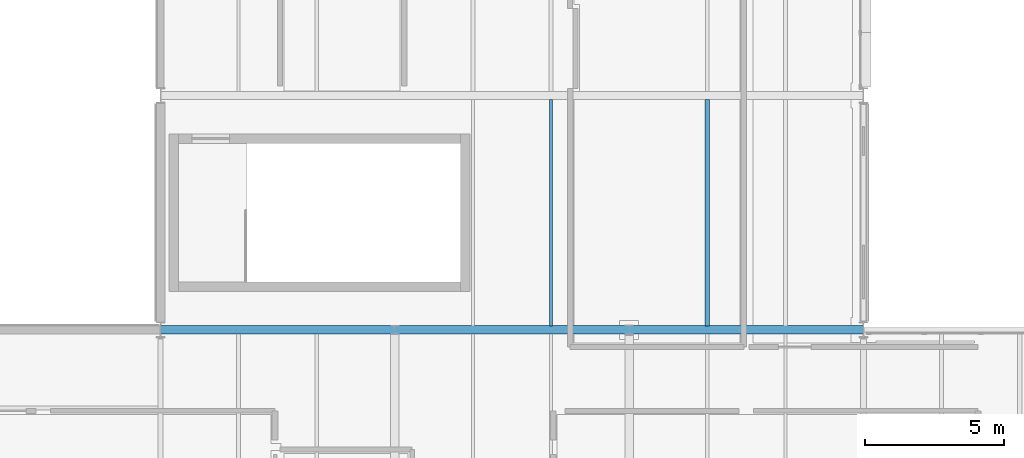
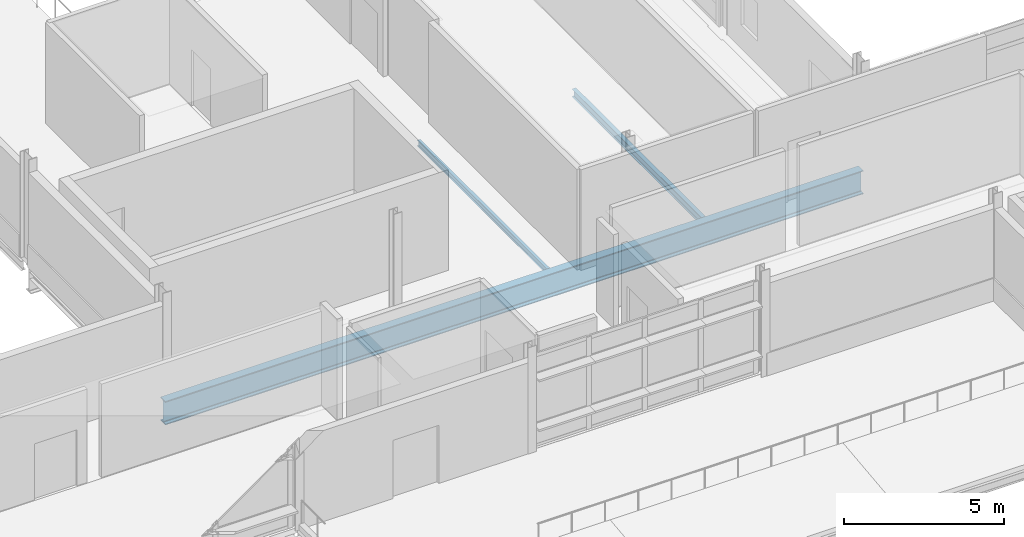
# One storey, part 27 of 151: 3 beams.
"""IFC4 building model written with IfcOpenShell, lengths in metres."""

from ifc_helpers import new_model, si_unit, direction, frame, origin, origin_2d, place, context, subcontext, project, spatial, i_section, extrude, material, material_profile, profile_set, type_object, element, save


model = new_model("IFC4")

# Units and contexts
model_context = context("Model", 3, precision=1e-05, world=origin(), true_north=direction((0.0, 1.0)))
body_context = subcontext(model_context, "Body", "Model", "MODEL_VIEW")
ifc_project = project(units=[si_unit("LENGTHUNIT", "METRE"), si_unit("AREAUNIT", "SQUARE_METRE"), si_unit("VOLUMEUNIT", "CUBIC_METRE"), si_unit("PLANEANGLEUNIT", "RADIAN"), si_unit("MASSUNIT", "GRAM", prefix="KILO")], contexts=[model_context])

# Site, building, storey
site_placement = place(None, origin())
site = spatial("IfcSite", under=ifc_project, at=site_placement, CompositionType="ELEMENT")
building_placement = place(site_placement, origin())
building = spatial("IfcBuilding", under=site, at=building_placement, Name="Mersafa Astral City Hall", CompositionType="ELEMENT")
storey_placement = place(building_placement, frame((0.0, 0.0, 9.89990234375)))
storey = spatial("IfcBuildingStorey", under=building, at=storey_placement, Name="L02", CompositionType="ELEMENT", Elevation=9.89990234375)

# Beams
ifc_material = material(Name="Steel S355", Category="steel")
ifc_material_profile_1 = material_profile(ifc_material, i_section(OverallWidth=0.300048828125, OverallDepth=0.89990234375, WebThickness=0.0185546875, FlangeThickness=0.034912109375, FilletRadius=0.030029296875, at=origin_2d()), Name="HEB 900")
ifc_profile_set_1 = profile_set([ifc_material_profile_1], Name="Steel S355")
beam_type_1 = type_object("IfcBeamType", Name="STR-BM-HEB900", PredefinedType="BEAM", material=ifc_profile_set_1)
beam_1_placement = place(storey_placement, frame((92.403076171875, 33.60009765625, -0.64990234375), z_axis=(1.0, 0.0, 0.0), x_axis=(0.0, 1.0, 0.0)))
element("IfcBeam", 1, at=beam_1_placement, inside=storey, type_object=beam_type_1, Name="L02 Public Service Hall clear-span portal girder 4", PredefinedType="BEAM", context=body_context, shape_type="SweptSolid", body=[
    extrude(i_section(OverallWidth=0.300048828125, OverallDepth=0.89990234375, WebThickness=0.0185546875, FlangeThickness=0.034912109375, FilletRadius=0.030029296875, at=origin_2d()), origin(), (0.0, 0.0, 1.0), 25.19384765625),
])
ifc_material_profile_2 = material_profile(ifc_material, i_section(OverallWidth=0.110107421875, OverallDepth=0.219970703125, WebThickness=0.005859375, FlangeThickness=0.00927734375, FilletRadius=0.011962890625, at=origin_2d()), Name="IPE 220")
ifc_profile_set_2 = profile_set([ifc_material_profile_2], Name="Steel S355")
beam_type_2 = type_object("IfcBeamType", Name="STR-BM-JOIST-IPE220", PredefinedType="JOIST", material=ifc_profile_set_2)
beam_2_placement = place(storey_placement, frame((106.39990234375, 33.7451171875, -0.309814453125), z_axis=(0.0, 1.0, 0.0), x_axis=(-1.0, 0.0, 0.0)))
element("IfcBeam", 2, at=beam_2_placement, inside=storey, type_object=beam_type_2, Name="L02 Composite secondary floor joist 455", PredefinedType="JOIST", context=body_context, shape_type="SweptSolid", body=[
    extrude(i_section(OverallWidth=0.110107421875, OverallDepth=0.219970703125, WebThickness=0.005859375, FlangeThickness=0.00927734375, FilletRadius=0.011962890625, at=origin_2d()), origin(), (0.0, 0.0, 1.0), 8.10986328125),
])
ifc_material_profile_3 = material_profile(ifc_material, i_section(OverallWidth=0.14990234375, OverallDepth=0.300048828125, WebThickness=0.007080078125, FlangeThickness=0.0107421875, FilletRadius=0.014892578125, at=origin_2d()), Name="IPE 300")
ifc_profile_set_3 = profile_set([ifc_material_profile_3], Name="Steel S355")
beam_type_3 = type_object("IfcBeamType", Name="STR-BM-JOIST-IPE300", PredefinedType="JOIST", material=ifc_profile_set_3)
beam_3_placement = place(storey_placement, frame((112.0, 33.7451171875, -0.349853515625), z_axis=(0.0, 1.0, 0.0), x_axis=(-1.0, 0.0, 0.0)))
element("IfcBeam", 3, at=beam_3_placement, inside=storey, type_object=beam_type_3, Name="L02 Composite secondary floor joist 472", PredefinedType="JOIST", context=body_context, shape_type="SweptSolid", body=[
    extrude(i_section(OverallWidth=0.14990234375, OverallDepth=0.300048828125, WebThickness=0.007080078125, FlangeThickness=0.0107421875, FilletRadius=0.014892578125, at=origin_2d()), origin(), (0.0, 0.0, 1.0), 8.10986328125),
])

save(model, "model.ifc")
